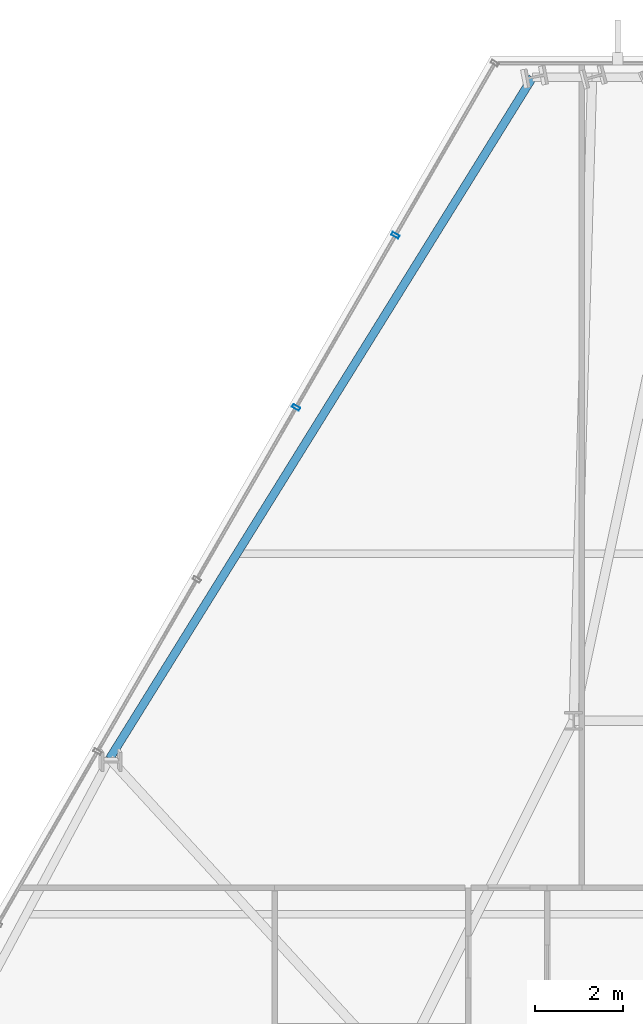
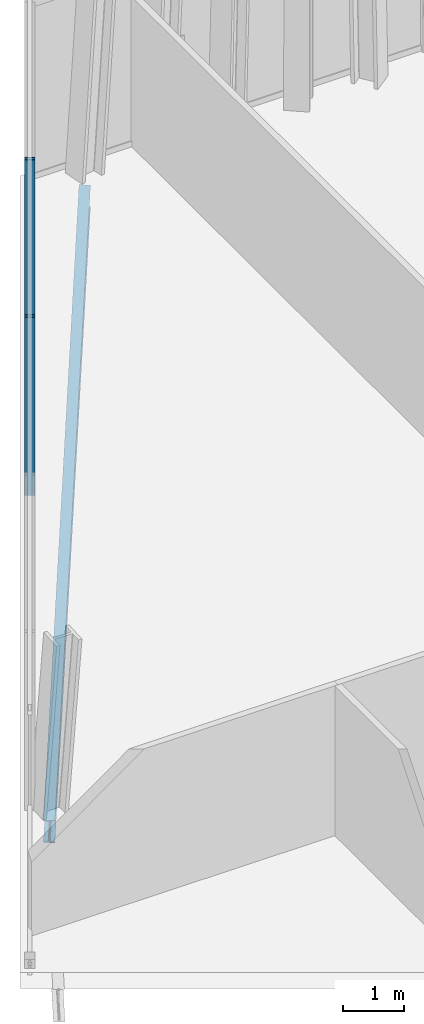
# One storey, part 21 of 32: 2 members, 1 beam, 1 element without a shape of its own.
"""IFC4 building model written with IfcOpenShell, lengths in metres."""

from ifc_helpers import new_model, si_unit, direction, frame, origin, origin_2d, place, context, subcontext, project, spatial, hollow_rectangle, i_section, extrude, material, layer, layer_set, material_profile, profile_set, type_object, element, aggregate, save


model = new_model("IFC4")

# Units and contexts
model_context = context("Model", 3, precision=1e-05, world=origin(), true_north=direction((0.0, 1.0)))
body_context = subcontext(model_context, "Body", "Model", "MODEL_VIEW")
ifc_project = project(units=[si_unit("LENGTHUNIT", "METRE"), si_unit("AREAUNIT", "SQUARE_METRE"), si_unit("VOLUMEUNIT", "CUBIC_METRE"), si_unit("PLANEANGLEUNIT", "RADIAN"), si_unit("MASSUNIT", "GRAM", prefix="KILO")], contexts=[model_context])

# Site, building, storey
site_placement = place(None, origin())
site = spatial("IfcSite", under=ifc_project, at=site_placement, CompositionType="ELEMENT")
building_placement = place(site_placement, origin())
building = spatial("IfcBuilding", under=site, at=building_placement, Name="Ndaravel Arena Tower", CompositionType="ELEMENT")
storey_placement = place(building_placement, frame((0.0, 0.0, 157.39990234375)))
storey = spatial("IfcBuildingStorey", under=building, at=storey_placement, Name="L37", CompositionType="ELEMENT", Elevation=157.39990234375)

# Beam
ifc_material_1 = material(Name="Steel S355", Category="steel")
ifc_material_profile_1 = material_profile(ifc_material_1, i_section(OverallWidth=0.18994140625, OverallDepth=0.449951171875, WebThickness=0.009521484375, FlangeThickness=0.0146484375, FilletRadius=0.02099609375, at=origin_2d()), Name="IPE 450")
ifc_profile_set_1 = profile_set([ifc_material_profile_1], Name="Steel S355")
beam_type = type_object("IfcBeamType", Name="BM-SPAN-IPE450", PredefinedType="SPANDREL", material=ifc_profile_set_1)
beam_placement = place(storey_placement, frame((37.268798828125, 45.833740234375, -0.44482421875), z_axis=(-0.52754211898, -0.849528876909, 0.0), x_axis=(0.849528876909, -0.52754211898, 0.0)))
element("IfcBeam", 1, at=beam_placement, inside=storey, type_object=beam_type, Name="L37 Perimeter Spandrel Beam SP-18", PredefinedType="SPANDREL", context=body_context, shape_type="SweptSolid", body=[
    extrude(i_section(OverallWidth=0.18994140625, OverallDepth=0.449951171875, WebThickness=0.009521484375, FlangeThickness=0.0146484375, FilletRadius=0.02099609375, at=origin_2d()), origin(), (0.0, 0.0, 1.0), 18.238525390625),
])

# Curtain wall, members
ifc_material_2 = material(Name="Aluminium", Category="aluminium")
ifc_layer = layer(ifc_material_2, 0.179931640625)
ifc_layer_set = layer_set([ifc_layer], Name="Aluminium")
curtain_wall_type = type_object("IfcCurtainWallType", Name="CW-SYS-03", PredefinedType="NOTDEFINED", material=ifc_layer_set)
curtain_wall_placement = place(storey_placement, origin())
curtain_wall = element("IfcCurtainWall", 2, at=curtain_wall_placement, inside=storey, type_object=curtain_wall_type, Name="L37 Faceted Crystal Curtain Wall CW-L37-E05", PredefinedType="NOTDEFINED")
ifc_material_3 = material(Name="Aluminium", Category="aluminium")
ifc_material_profile_2 = material_profile(ifc_material_3, hollow_rectangle(XDim=0.074951171875, YDim=0.179931640625, WallThickness=0.00390625, at=origin_2d()), Name="CW MULLION 75x180x4")
ifc_profile_set_2 = profile_set([ifc_material_profile_2], Name="Aluminium")
member_type = type_object("IfcMemberType", Name="MEM-CW-MUL180", PredefinedType="MULLION", material=ifc_profile_set_2)
member_1_placement = place(storey_placement, frame((34.148681640625, 42.240234375, 0.0), z_axis=(0.0, 0.0, 1.0), x_axis=(-0.5, -0.866025403784, 0.0)))
member_1 = element("IfcMember", 3, at=member_1_placement, type_object=member_type, Name="CW-L37-E05 Mullion 01", PredefinedType="MULLION", context=body_context, shape_type="SweptSolid", body=[
    extrude(hollow_rectangle(XDim=0.074951171875, YDim=0.179931640625, WallThickness=0.00390625, at=origin_2d()), origin(), (0.0, 0.0, 1.0), 3.580078125),
])
member_2_placement = place(storey_placement, frame((31.88916015625, 38.32666015625, 0.0), z_axis=(0.0, 0.0, 1.0), x_axis=(-0.5, -0.866025403784, 0.0)))
member_2 = element("IfcMember", 4, at=member_2_placement, type_object=member_type, Name="CW-L37-E05 Mullion 02", PredefinedType="MULLION", context=body_context, shape_type="SweptSolid", body=[
    extrude(hollow_rectangle(XDim=0.074951171875, YDim=0.179931640625, WallThickness=0.00390625, at=origin_2d()), origin(), (0.0, 0.0, 1.0), 3.580078125),
])
aggregate(curtain_wall, [member_1, member_2])

save(model, "model.ifc")
